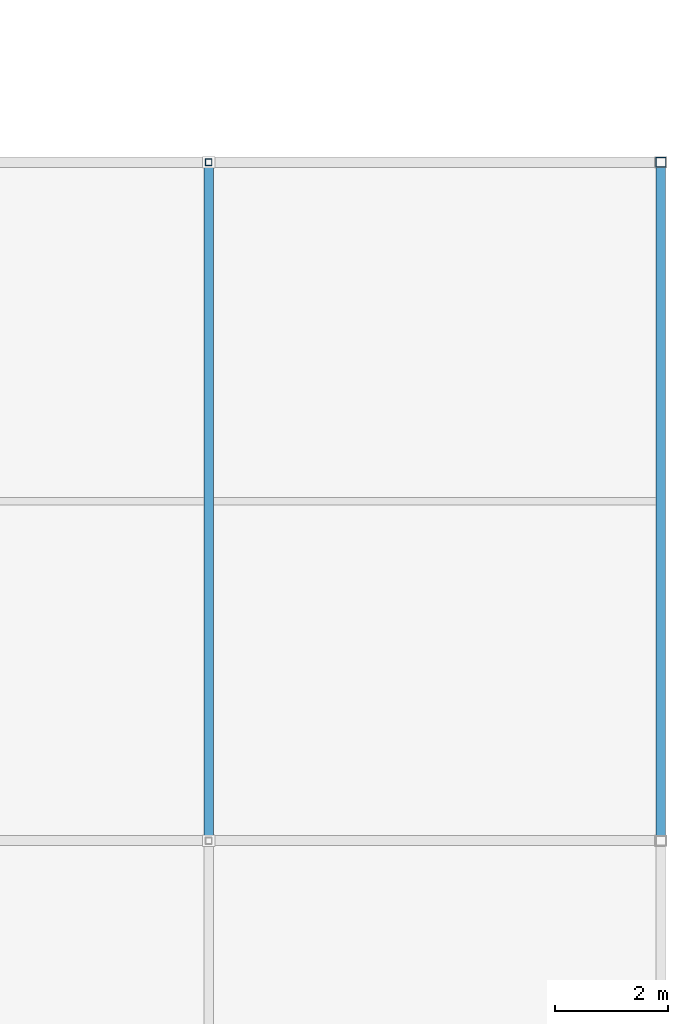
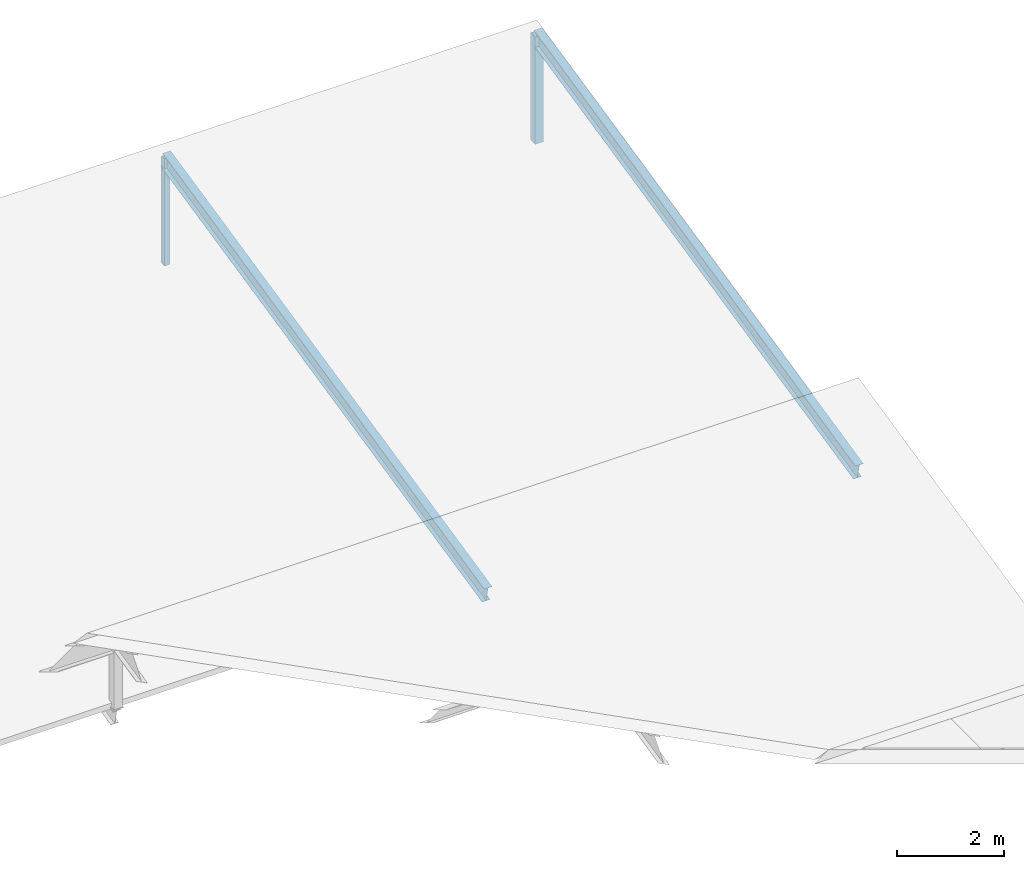
# One storey, part 19 of 31: 4 members.
"""IFC4 building model written with IfcOpenShell, lengths in metres."""

from ifc_helpers import new_model, si_unit, direction, frame, origin, origin_2d, place, context, subcontext, project, spatial, hollow_rectangle, i_section, extrude, material, material_profile, profile_set, type_object, element, save


model = new_model("IFC4")

# Units and contexts
model_context = context("Model", 3, precision=1e-05, world=origin(), true_north=direction((0.0, 1.0)))
body_context = subcontext(model_context, "Body", "Model", "MODEL_VIEW")
ifc_project = project(units=[si_unit("LENGTHUNIT", "METRE"), si_unit("AREAUNIT", "SQUARE_METRE"), si_unit("VOLUMEUNIT", "CUBIC_METRE"), si_unit("PLANEANGLEUNIT", "RADIAN"), si_unit("MASSUNIT", "GRAM", prefix="KILO")], contexts=[model_context])

# Site, building, storey
site_placement = place(None, origin())
site = spatial("IfcSite", under=ifc_project, at=site_placement, CompositionType="ELEMENT")
building_placement = place(site_placement, origin())
building = spatial("IfcBuilding", under=site, at=building_placement, Name="Celadon Cloister-Ring School", CompositionType="ELEMENT")
storey_placement = place(building_placement, frame((0.0, 0.0, 16.5)))
storey = spatial("IfcBuildingStorey", under=building, at=storey_placement, Name="L04", CompositionType="ELEMENT", Elevation=16.5)

# Members
ifc_material_1 = material(Name="Structural steel S355JR", Category="steel")
ifc_material_profile_1 = material_profile(ifc_material_1, hollow_rectangle(XDim=0.179931640625, YDim=0.179931640625, WallThickness=0.008056640625, at=origin_2d()), Name="HSS180X180X8")
ifc_profile_set_1 = profile_set([ifc_material_profile_1], Name="Structural steel S355JR")
member_type_1 = type_object("IfcMemberType", Name="MB-04", PredefinedType="BRACE", material=ifc_profile_set_1)
member_1_placement = place(storey_placement, frame((174.0, 60.0, -0.10009765625), z_axis=(0.0, 0.0, 1.0), x_axis=(1.0, 0.0, 0.0)))
element("IfcMember", 1, at=member_1_placement, inside=storey, type_object=member_type_1, Name="Structural Member 0604", PredefinedType="BRACE", context=body_context, shape_type="SweptSolid", body=[
    extrude(hollow_rectangle(XDim=0.179931640625, YDim=0.179931640625, WallThickness=0.008056640625, at=origin_2d()), origin(), (0.0, 0.0, 1.0), 2.43701171875),
])
ifc_material_2 = material(Name="Structural steel S355JR", Category="steel")
ifc_material_profile_2 = material_profile(ifc_material_2, hollow_rectangle(XDim=0.1201171875, YDim=0.1201171875, WallThickness=0.006103515625, at=origin_2d()), Name="HSS120X120X6")
ifc_profile_set_2 = profile_set([ifc_material_profile_2], Name="Structural steel S355JR")
member_type_2 = type_object("IfcMemberType", Name="MB-06", PredefinedType="BRACE", material=ifc_profile_set_2)
member_2_placement = place(storey_placement, frame((166.0, 60.0, -0.10009765625), z_axis=(0.0, 0.0, 1.0), x_axis=(1.0, 0.0, 0.0)))
element("IfcMember", 2, at=member_2_placement, inside=storey, type_object=member_type_2, Name="Structural Member 0602", PredefinedType="BRACE", context=body_context, shape_type="SweptSolid", body=[
    extrude(hollow_rectangle(XDim=0.1201171875, YDim=0.1201171875, WallThickness=0.006103515625, at=origin_2d()), origin(), (0.0, 0.0, 1.0), 2.43701171875),
])
ifc_material_3 = material(Name="Structural steel S355JR", Category="steel")
ifc_material_profile_3 = material_profile(ifc_material_3, i_section(OverallWidth=0.1708984375, OverallDepth=0.35498046875, WebThickness=0.007080078125, FlangeThickness=0.01171875, at=origin_2d()), Name="W360X51")
ifc_profile_set_3 = profile_set([ifc_material_profile_3], Name="Structural steel S355JR")
member_type_3 = type_object("IfcMemberType", Name="MR-05", PredefinedType="RAFTER", material=ifc_profile_set_3)
for number, where, z_axis, x_axis, name in (
    (3, (166.0, 48.0, -0.35302734375), (0.0, 0.976470892776, 0.215649241966), (-1.0, 0.0, 0.0), "Structural Member 0603"),
    (4, (174.0, 48.0, -0.35302734375), (0.0, 0.976470892776, 0.215649241966), (-1.0, 0.0, 0.0), "Structural Member 0605"),
):
    element("IfcMember", number, at=place(storey_placement, frame(where, z_axis=z_axis, x_axis=x_axis)), inside=storey, type_object=member_type_3, Name=name, PredefinedType="RAFTER", context=body_context, shape_type="SweptSolid", body=[
        extrude(i_section(OverallWidth=0.1708984375, OverallDepth=0.35498046875, WebThickness=0.007080078125, FlangeThickness=0.01171875, at=origin_2d()), origin(), (0.0, 0.0, 1.0), 12.2890625),
    ])

save(model, "model.ifc")
